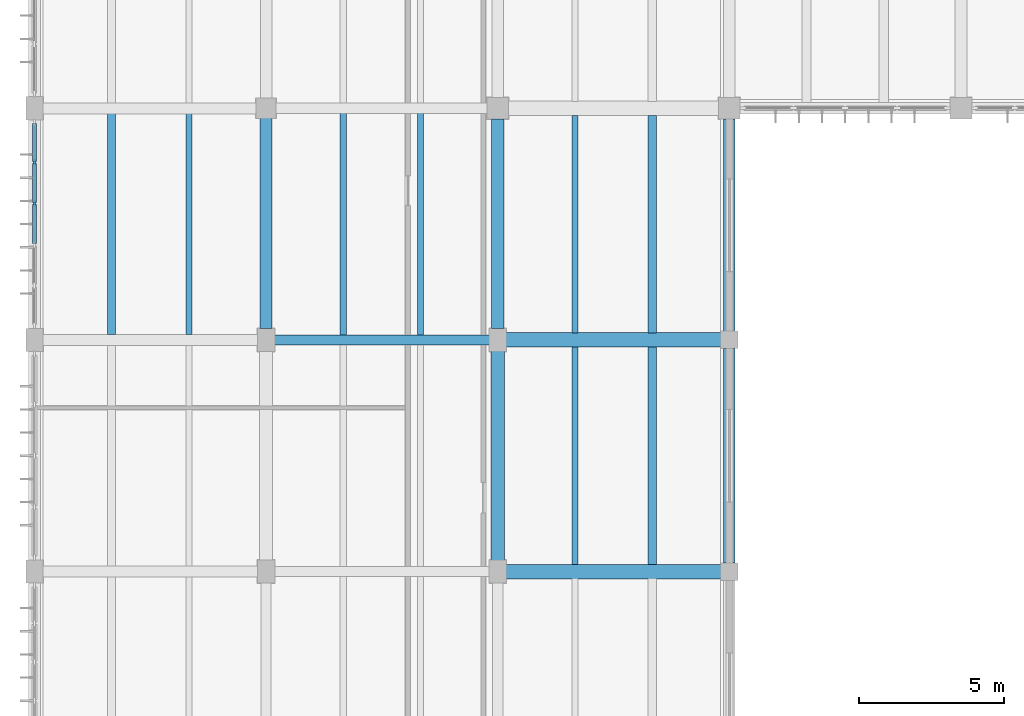
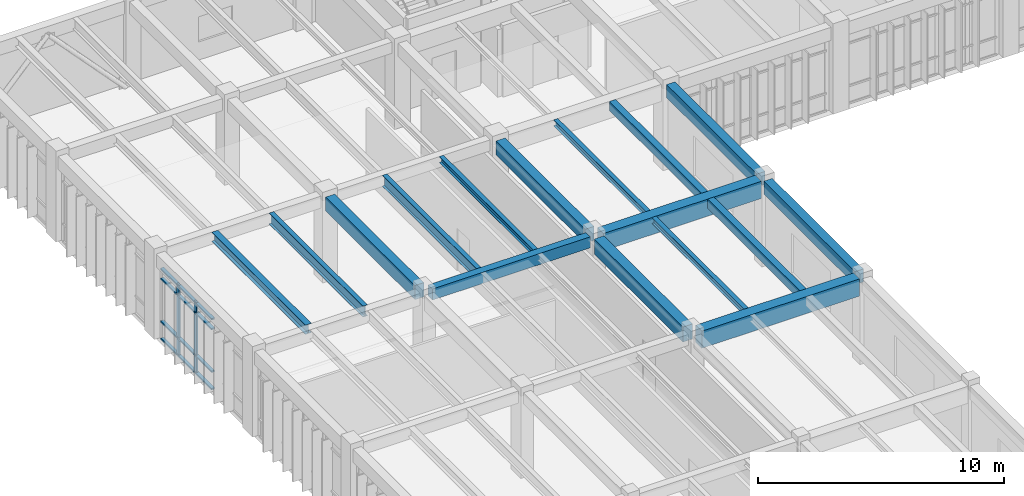
# One storey, part 9 of 79: 16 beams, 14 members, 1 element without a shape of its own.
"""IFC4 building model written with IfcOpenShell, lengths in metres."""

import ifcopenshell
import ifcopenshell.guid

model = None  # the IFC model being written
_history = None  # IfcOwnerHistory: only IFC2X3 demands one
_inside = {}  # id of a spatial element -> (the spatial element, [elements in it])
_under = {}  # id of a project, library or spatial element -> (it, [spatial elements below it])
_declared = {}  # id of a project -> (the project, [libraries it declares])
_typed = {}  # id of a type object -> (the type object, [elements of that type])
_made_of = {}  # id of a material, layer set ... -> (it, [elements and type objects made of it])


def new_model(schema):
    """Start an empty IFC model of exactly this schema.

    Asked for "IFC4X3", IfcOpenShell would pick the latest addendum, in which some entities
    have other attributes; the version numbers below select the first issue.
    IFC2X3 requires an IfcOwnerHistory on every rooted entity: one is made here for all.
    """
    global model, _history
    if schema == "IFC4X3":
        model = ifcopenshell.file(schema_version=(4, 3, 0, 0))
    else:
        model = ifcopenshell.file(schema=schema)
    _inside.clear()
    _under.clear()
    _declared.clear()
    _typed.clear()
    _made_of.clear()
    _history = None
    if model.schema == "IFC2X3":
        org = make("IfcOrganization", Name="unknown")
        user = make(
            "IfcPersonAndOrganization",
            ThePerson=make("IfcPerson", FamilyName="unknown"),
            TheOrganization=org,
        )
        app = make(
            "IfcApplication",
            ApplicationDeveloper=org,
            Version="unknown",
            ApplicationFullName="unknown",
            ApplicationIdentifier="unknown",
        )
        _history = make(
            "IfcOwnerHistory",
            OwningUser=user,
            OwningApplication=app,
            ChangeAction="ADDED",
            CreationDate=0,
        )
    return model


def make(cls, **values):
    """One entity of the class cls with the attributes given. An attribute that is None is left unset."""
    return model.create_entity(
        cls, **{name: value for name, value in values.items() if value is not None}
    )


def rooted(cls, **values):
    """An entity with a GlobalId (a new one), such as an element, a storey or a relation."""
    return make(cls, GlobalId=ifcopenshell.guid.new(), OwnerHistory=_history, **values)


def si_unit(unit_type, name, prefix=None):
    """IfcSIUnit, for example si_unit("LENGTHUNIT", "METRE", prefix="MILLI")."""
    return make("IfcSIUnit", UnitType=unit_type, Prefix=prefix, Name=name)


def assignment(units):
    """IfcUnitAssignment: the units of a project."""
    return None if units is None else make("IfcUnitAssignment", Units=units)


def point(xyz):
    """IfcCartesianPoint."""
    return None if xyz is None else make("IfcCartesianPoint", Coordinates=xyz)


def direction(xyz):
    """IfcDirection."""
    return None if xyz is None else make("IfcDirection", DirectionRatios=xyz)


def frame(location, z_axis=None, x_axis=None):
    """IfcAxis2Placement3D, a coordinate frame: its origin and axes. An axis left out is left unset."""
    return make(
        "IfcAxis2Placement3D",
        Location=point(location),
        Axis=direction(z_axis),
        RefDirection=direction(x_axis),
    )


def frame_2d(location, x_axis=None):
    """IfcAxis2Placement2D, a coordinate frame in the plane: its origin and x axis."""
    return make(
        "IfcAxis2Placement2D", Location=point(location), RefDirection=direction(x_axis)
    )


def origin():
    """The frame at (0, 0, 0) with its axes left unset."""
    return frame((0.0, 0.0, 0.0))


def origin_2d():
    """The frame at (0, 0) in the plane with its x axis left unset."""
    return frame_2d((0.0, 0.0))


def place(relative_to, where):
    """IfcLocalPlacement: puts the frame where relative to a parent placement (None: the world)."""
    return make(
        "IfcLocalPlacement", PlacementRelTo=relative_to, RelativePlacement=where
    )


def context(
    kind, dimensions, precision=None, world=None, true_north=None, identifier=None
):
    """IfcGeometricRepresentationContext, for example the 3D "Model" context."""
    return make(
        "IfcGeometricRepresentationContext",
        ContextIdentifier=identifier,
        ContextType=kind,
        CoordinateSpaceDimension=dimensions,
        Precision=precision,
        WorldCoordinateSystem=world,
        TrueNorth=true_north,
    )


def subcontext(parent, identifier, kind, view, scale=None):
    """IfcGeometricRepresentationSubContext, for example "Body" below "Model"."""
    return make(
        "IfcGeometricRepresentationSubContext",
        ContextIdentifier=identifier,
        ContextType=kind,
        ParentContext=parent,
        TargetScale=scale,
        TargetView=view,
    )


def project(units=None, contexts=None):
    """IfcProject with its units and contexts."""
    return rooted(
        "IfcProject",
        Name="project",
        RepresentationContexts=contexts,
        UnitsInContext=assignment(units),
    )


def spatial(cls, under=None, at=None, **own):
    """A site, building, storey or space (cls), placed at a placement, below another one or the project."""
    s = rooted(cls, ObjectPlacement=at, **own)
    if under is not None:
        _under.setdefault(under.id(), (under, []))[1].append(s)
    return s


def profile(cls, at=None, kind="AREA", **sizes):
    """A parametric profile (cls). Its sizes go by their IFC names, for example OverallWidth=200.0."""
    return make(cls, ProfileType=kind, Position=at, **sizes)


def rectangle(**sizes):
    """IfcRectangleProfileDef."""
    return profile("IfcRectangleProfileDef", **sizes)


def i_section(**sizes):
    """IfcIShapeProfileDef."""
    return profile("IfcIShapeProfileDef", **sizes)


def extrude(swept, where, along, depth):
    """IfcExtrudedAreaSolid: the profile swept, set in the frame where, extruded along a direction by depth."""
    return make(
        "IfcExtrudedAreaSolid",
        SweptArea=swept,
        Position=where,
        ExtrudedDirection=direction(along),
        Depth=depth,
    )


def shape(context_of_items, identifier, shape_type, items):
    """IfcShapeRepresentation: the items that make up one representation, for example the "Body"."""
    return make(
        "IfcShapeRepresentation",
        ContextOfItems=context_of_items,
        RepresentationIdentifier=identifier,
        RepresentationType=shape_type,
        Items=items,
    )


def material(Name=None, Category=None):
    """IfcMaterial."""
    return make("IfcMaterial", Name=Name, Category=Category)


def material_profile(
    of_material, cross_section, Name=None, Category=None, Priority=None
):
    """IfcMaterialProfile: a cross section and its material."""
    return make(
        "IfcMaterialProfile",
        Name=Name,
        Material=of_material,
        Profile=cross_section,
        Priority=Priority,
        Category=Category,
    )


def profile_set(profiles, Name=None, composite=None):
    """IfcMaterialProfileSet."""
    return make(
        "IfcMaterialProfileSet",
        Name=Name,
        MaterialProfiles=profiles,
        CompositeProfile=composite,
    )


def made_of(thing, what):
    """Note that an element or type object is made of a material, layer set ...; save() writes the relation."""
    if what is not None:
        _made_of.setdefault(what.id(), (what, []))[1].append(thing)
    return thing


def type_object(cls, material=None, **own):
    """A type object (cls), such as IfcWallType, which elements share."""
    return made_of(rooted(cls, **own), material)


def element(
    cls,
    number,
    at=None,
    inside=None,
    cuts=None,
    type_object=None,
    material=None,
    context=None,
    identifier="Body",
    shape_type=None,
    held_by="IfcProductDefinitionShape",
    body=None,
    shapes=None,
    **own,
):
    """One element of the class cls, such as IfcWall. Its Tag is "e" and its number.

    at: its placement. inside: the storey or other place that contains it. cuts: it is an
    opening in that element (IfcRelVoidsElement). A single representation is given by context,
    identifier, shape_type and body (its items); several are given by shapes. held_by: the class
    of the entity that holds the representations. save() writes the other relations.
    """
    e = rooted(cls, Tag="e%d" % number, ObjectPlacement=at, **own)
    if body is not None:
        shapes = [shape(context, identifier, shape_type, body)]
    if shapes is not None:
        e.Representation = make(held_by, Representations=shapes)
    if inside is not None:
        _inside.setdefault(inside.id(), (inside, []))[1].append(e)
    if cuts is not None:
        rooted(
            "IfcRelVoidsElement", RelatingBuildingElement=cuts, RelatedOpeningElement=e
        )
    if type_object is not None:
        _typed.setdefault(type_object.id(), (type_object, []))[1].append(e)
    return made_of(e, material)


def aggregate(whole, parts):
    """IfcRelAggregates: a whole, such as a stair, and the parts it consists of."""
    return rooted("IfcRelAggregates", RelatingObject=whole, RelatedObjects=parts)


def save(model, path):
    """Write the relations noted so far, then the file.

    IfcRelAggregates (storeys below a building ...), IfcRelContainedInSpatialStructure (elements
    in a storey), IfcRelDefinesByType, IfcRelAssociatesMaterial and IfcRelDeclares: one each for
    every whole, place, type object, material and project.
    """
    for whole, parts in _under.values():
        aggregate(whole, parts)
    for where, things in _inside.values():
        rooted(
            "IfcRelContainedInSpatialStructure",
            RelatedElements=things,
            RelatingStructure=where,
        )
    for kind, things in _typed.values():
        rooted("IfcRelDefinesByType", RelatedObjects=things, RelatingType=kind)
    for what, things in _made_of.values():
        rooted("IfcRelAssociatesMaterial", RelatedObjects=things, RelatingMaterial=what)
    for by, libraries in _declared.values():
        rooted("IfcRelDeclares", RelatingContext=by, RelatedDefinitions=libraries)
    model.write(path)


model = new_model("IFC4")

# Units and contexts
model_context = context("Model", 3, precision=1e-05, world=origin(), true_north=direction((0.0, 1.0)))
body_context = subcontext(model_context, "Body", "Model", "MODEL_VIEW")
ifc_project = project(units=[si_unit("LENGTHUNIT", "METRE"), si_unit("AREAUNIT", "SQUARE_METRE"), si_unit("VOLUMEUNIT", "CUBIC_METRE"), si_unit("PLANEANGLEUNIT", "RADIAN"), si_unit("MASSUNIT", "GRAM", prefix="KILO")], contexts=[model_context])

# Site, building, storey
site_placement = place(None, origin())
site = spatial("IfcSite", under=ifc_project, at=site_placement, CompositionType="ELEMENT")
building_placement = place(site_placement, origin())
building = spatial("IfcBuilding", under=site, at=building_placement, Name="Tlaxcora Railside Police Headquarters", CompositionType="ELEMENT")
storey_placement = place(building_placement, frame((0.0, 0.0, 9.0)))
storey = spatial("IfcBuildingStorey", under=building, at=storey_placement, Name="L02", CompositionType="ELEMENT", Elevation=9.0)

# Curtain wall, members
ifc_material_1 = material(Name="Thermally broken low-E insulated glazing", Category="glass")
curtain_wall_type = type_object("IfcCurtainWallType", Name="Unitised Curtain Wall Assembly CW-15", PredefinedType="NOTDEFINED", material=ifc_material_1)
curtain_wall_placement = place(storey_placement, origin())
curtain_wall = element("IfcCurtainWall", 1, at=curtain_wall_placement, inside=storey, type_object=curtain_wall_type, Name="V5 L02 curtain wall 66", PredefinedType="NOTDEFINED")
ifc_material_2 = material(Name="Anodised aluminium framing", Category="aluminium")
ifc_material_profile_1 = material_profile(ifc_material_2, rectangle(XDim=0.074951171875, YDim=0.199951171875, at=origin_2d()), Name="AL75X200")
ifc_profile_set_1 = profile_set([ifc_material_profile_1], Name="Anodised aluminium framing")
member_type_1 = type_object("IfcMemberType", Name="Curtain Wall Mullion CW-58", PredefinedType="MULLION", material=ifc_profile_set_1)
member_1_placement = place(storey_placement, frame((5.199951171875, 74.929931640625, 0.0), z_axis=(0.0, 0.0, 1.0), x_axis=(1.0, 0.0, 0.0)))
member_1 = element("IfcMember", 2, at=member_1_placement, type_object=member_type_1, Name="CW mullion 2", PredefinedType="MULLION", context=body_context, shape_type="SweptSolid", body=[
    extrude(rectangle(XDim=0.074951171875, YDim=0.199951171875, at=origin_2d()), origin(), (0.0, 0.0, 1.0), 3.550048828125),
])
member_2_placement = place(storey_placement, frame((5.199951171875, 73.510009765625, 0.0), z_axis=(0.0, 0.0, 1.0), x_axis=(1.0, 0.0, 0.0)))
member_2 = element("IfcMember", 3, at=member_2_placement, type_object=member_type_1, Name="CW mullion 3", PredefinedType="MULLION", context=body_context, shape_type="SweptSolid", body=[
    extrude(rectangle(XDim=0.074951171875, YDim=0.199951171875, at=origin_2d()), origin(), (0.0, 0.0, 1.0), 3.550048828125),
])
ifc_material_profile_2 = material_profile(ifc_material_2, rectangle(XDim=0.14990234375, YDim=0.074951171875, at=origin_2d()), Name="AL75X150")
ifc_profile_set_2 = profile_set([ifc_material_profile_2], Name="Anodised aluminium framing")
member_type_2 = type_object("IfcMemberType", Name="Curtain Wall Transom CW-28", PredefinedType="USERDEFINED", material=ifc_profile_set_2)
member_3_placement = place(storey_placement, frame((5.199951171875, 76.27490234375, 0.03759765625), z_axis=(0.0, -1.0, 0.0), x_axis=(1.0, 0.0, 0.0)))
member_3 = element("IfcMember", 4, at=member_3_placement, type_object=member_type_2, Name="CW transom 1.1", ObjectType="TRANSOM", PredefinedType="USERDEFINED", context=body_context, shape_type="SweptSolid", body=[
    extrude(rectangle(XDim=0.14990234375, YDim=0.074951171875, at=origin_2d()), origin(), (0.0, 0.0, 1.0), 1.307373046875),
])
member_4_placement = place(storey_placement, frame((5.199951171875, 76.27490234375, 0.89990234375), z_axis=(0.0, -1.0, 0.0), x_axis=(1.0, 0.0, 0.0)))
member_4 = element("IfcMember", 5, at=member_4_placement, type_object=member_type_2, Name="CW transom 1.2", ObjectType="TRANSOM", PredefinedType="USERDEFINED", context=body_context, shape_type="SweptSolid", body=[
    extrude(rectangle(XDim=0.14990234375, YDim=0.074951171875, at=origin_2d()), origin(), (0.0, 0.0, 1.0), 1.307373046875),
])
member_5_placement = place(storey_placement, frame((5.199951171875, 76.27490234375, 3.02001953125), z_axis=(0.0, -1.0, 0.0), x_axis=(1.0, 0.0, 0.0)))
member_5 = element("IfcMember", 6, at=member_5_placement, type_object=member_type_2, Name="CW transom 1.3", ObjectType="TRANSOM", PredefinedType="USERDEFINED", context=body_context, shape_type="SweptSolid", body=[
    extrude(rectangle(XDim=0.14990234375, YDim=0.074951171875, at=origin_2d()), origin(), (0.0, 0.0, 1.0), 1.307373046875),
])
member_6_placement = place(storey_placement, frame((5.199951171875, 76.27490234375, 3.512451171875), z_axis=(0.0, -1.0, 0.0), x_axis=(1.0, 0.0, 0.0)))
member_6 = element("IfcMember", 7, at=member_6_placement, type_object=member_type_2, Name="CW transom 1.4", ObjectType="TRANSOM", PredefinedType="USERDEFINED", context=body_context, shape_type="SweptSolid", body=[
    extrude(rectangle(XDim=0.14990234375, YDim=0.074951171875, at=origin_2d()), origin(), (0.0, 0.0, 1.0), 1.307373046875),
])
member_7_placement = place(storey_placement, frame((5.199951171875, 74.892578125, 0.03759765625), z_axis=(0.0, -1.0, 0.0), x_axis=(1.0, 0.0, 0.0)))
member_7 = element("IfcMember", 8, at=member_7_placement, type_object=member_type_2, Name="CW transom 2.1", ObjectType="TRANSOM", PredefinedType="USERDEFINED", context=body_context, shape_type="SweptSolid", body=[
    extrude(rectangle(XDim=0.14990234375, YDim=0.074951171875, at=origin_2d()), origin(), (0.0, 0.0, 1.0), 1.344970703125),
])
member_8_placement = place(storey_placement, frame((5.199951171875, 74.892578125, 0.89990234375), z_axis=(0.0, -1.0, 0.0), x_axis=(1.0, 0.0, 0.0)))
member_8 = element("IfcMember", 9, at=member_8_placement, type_object=member_type_2, Name="CW transom 2.2", ObjectType="TRANSOM", PredefinedType="USERDEFINED", context=body_context, shape_type="SweptSolid", body=[
    extrude(rectangle(XDim=0.14990234375, YDim=0.074951171875, at=origin_2d()), origin(), (0.0, 0.0, 1.0), 1.344970703125),
])
member_9_placement = place(storey_placement, frame((5.199951171875, 74.892578125, 3.02001953125), z_axis=(0.0, -1.0, 0.0), x_axis=(1.0, 0.0, 0.0)))
member_9 = element("IfcMember", 10, at=member_9_placement, type_object=member_type_2, Name="CW transom 2.3", ObjectType="TRANSOM", PredefinedType="USERDEFINED", context=body_context, shape_type="SweptSolid", body=[
    extrude(rectangle(XDim=0.14990234375, YDim=0.074951171875, at=origin_2d()), origin(), (0.0, 0.0, 1.0), 1.344970703125),
])
member_10_placement = place(storey_placement, frame((5.199951171875, 74.892578125, 3.512451171875), z_axis=(0.0, -1.0, 0.0), x_axis=(1.0, 0.0, 0.0)))
member_10 = element("IfcMember", 11, at=member_10_placement, type_object=member_type_2, Name="CW transom 2.4", ObjectType="TRANSOM", PredefinedType="USERDEFINED", context=body_context, shape_type="SweptSolid", body=[
    extrude(rectangle(XDim=0.14990234375, YDim=0.074951171875, at=origin_2d()), origin(), (0.0, 0.0, 1.0), 1.344970703125),
])
member_11_placement = place(storey_placement, frame((5.199951171875, 73.472412109375, 0.03759765625), z_axis=(0.0, -1.0, 0.0), x_axis=(1.0, 0.0, 0.0)))
member_11 = element("IfcMember", 12, at=member_11_placement, type_object=member_type_2, Name="CW transom 3.1", ObjectType="TRANSOM", PredefinedType="USERDEFINED", context=body_context, shape_type="SweptSolid", body=[
    extrude(rectangle(XDim=0.14990234375, YDim=0.074951171875, at=origin_2d()), origin(), (0.0, 0.0, 1.0), 1.344970703125),
])
member_12_placement = place(storey_placement, frame((5.199951171875, 73.472412109375, 0.89990234375), z_axis=(0.0, -1.0, 0.0), x_axis=(1.0, 0.0, 0.0)))
member_12 = element("IfcMember", 13, at=member_12_placement, type_object=member_type_2, Name="CW transom 3.2", ObjectType="TRANSOM", PredefinedType="USERDEFINED", context=body_context, shape_type="SweptSolid", body=[
    extrude(rectangle(XDim=0.14990234375, YDim=0.074951171875, at=origin_2d()), origin(), (0.0, 0.0, 1.0), 1.344970703125),
])
member_13_placement = place(storey_placement, frame((5.199951171875, 73.472412109375, 3.02001953125), z_axis=(0.0, -1.0, 0.0), x_axis=(1.0, 0.0, 0.0)))
member_13 = element("IfcMember", 14, at=member_13_placement, type_object=member_type_2, Name="CW transom 3.3", ObjectType="TRANSOM", PredefinedType="USERDEFINED", context=body_context, shape_type="SweptSolid", body=[
    extrude(rectangle(XDim=0.14990234375, YDim=0.074951171875, at=origin_2d()), origin(), (0.0, 0.0, 1.0), 1.344970703125),
])
member_14_placement = place(storey_placement, frame((5.199951171875, 73.472412109375, 3.512451171875), z_axis=(0.0, -1.0, 0.0), x_axis=(1.0, 0.0, 0.0)))
member_14 = element("IfcMember", 15, at=member_14_placement, type_object=member_type_2, Name="CW transom 3.4", ObjectType="TRANSOM", PredefinedType="USERDEFINED", context=body_context, shape_type="SweptSolid", body=[
    extrude(rectangle(XDim=0.14990234375, YDim=0.074951171875, at=origin_2d()), origin(), (0.0, 0.0, 1.0), 1.344970703125),
])
aggregate(curtain_wall, [member_1, member_2, member_3, member_4, member_5, member_6, member_7, member_8, member_9, member_10, member_11, member_12, member_13, member_14])

# Beams
ifc_material_3 = material(Name="Concrete C40/50", Category="concrete")
ifc_material_profile_3 = material_profile(ifc_material_3, rectangle(XDim=0.39990234375, YDim=0.64990234375, at=origin_2d()), Name="RC400X650")
ifc_profile_set_3 = profile_set([ifc_material_profile_3], Name="Concrete C40/50")
beam_type_1 = type_object("IfcBeamType", Name="Perimeter Spandrel Beam BM-46", PredefinedType="SPANDREL", material=ifc_profile_set_3)
beam_1_placement = place(storey_placement, frame((29.199951171875, 61.090087890625, 3.89501953125), z_axis=(0.0, 1.0, 0.0), x_axis=(-1.0, 0.0, 0.0)))
element("IfcBeam", 16, at=beam_1_placement, inside=storey, type_object=beam_type_1, Name="V5 L02 Y-girder X=29.2", PredefinedType="SPANDREL", context=body_context, shape_type="SweptSolid", body=[
    extrude(rectangle(XDim=0.39990234375, YDim=0.64990234375, at=origin_2d()), origin(), (0.0, 0.0, 1.0), 7.419921875),
])
beam_2_placement = place(storey_placement, frame((29.199951171875, 69.090087890625, 3.89501953125), z_axis=(0.0, 1.0, 0.0), x_axis=(-1.0, 0.0, 0.0)))
element("IfcBeam", 17, at=beam_2_placement, inside=storey, type_object=beam_type_1, Name="V5 L02 Y-girder X=29.2", PredefinedType="SPANDREL", context=body_context, shape_type="SweptSolid", body=[
    extrude(rectangle(XDim=0.39990234375, YDim=0.64990234375, at=origin_2d()), origin(), (0.0, 0.0, 1.0), 7.344970703125),
])
ifc_material_profile_4 = material_profile(ifc_material_3, rectangle(XDim=0.419921875, YDim=0.699951171875, at=origin_2d()), Name="RC420X700")
ifc_profile_set_4 = profile_set([ifc_material_profile_4], Name="Concrete C40/50")
beam_type_2 = type_object("IfcBeamType", Name="Primary Frame Girder BM-35", PredefinedType="BEAM", material=ifc_profile_set_4)
beam_3_placement = place(storey_placement, frame((13.199951171875, 69.18994140625, 3.8701171875), z_axis=(0.0, 1.0, 0.0), x_axis=(-1.0, 0.0, 0.0)))
element("IfcBeam", 18, at=beam_3_placement, inside=storey, type_object=beam_type_2, Name="V5 L02 Y-girder X=13.2", PredefinedType="BEAM", context=body_context, shape_type="SweptSolid", body=[
    extrude(rectangle(XDim=0.419921875, YDim=0.699951171875, at=origin_2d()), origin(), (0.0, 0.0, 1.0), 7.27001953125),
])
beam_4_placement = place(storey_placement, frame((21.199951171875, 69.18994140625, 3.8701171875), z_axis=(0.0, 1.0, 0.0), x_axis=(-1.0, 0.0, 0.0)))
element("IfcBeam", 19, at=beam_4_placement, inside=storey, type_object=beam_type_2, Name="V5 L02 Y-girder X=21.2", PredefinedType="BEAM", context=body_context, shape_type="SweptSolid", body=[
    extrude(rectangle(XDim=0.419921875, YDim=0.699951171875, at=origin_2d()), origin(), (0.0, 0.0, 1.0), 7.2451171875),
])
ifc_material_profile_5 = material_profile(ifc_material_3, rectangle(XDim=0.35009765625, YDim=0.550048828125, at=origin_2d()), Name="RC350X550")
ifc_profile_set_5 = profile_set([ifc_material_profile_5], Name="Concrete C40/50")
beam_type_3 = type_object("IfcBeamType", Name="Primary Frame Girder BM-39", PredefinedType="BEAM", material=ifc_profile_set_5)
beam_5_placement = place(storey_placement, frame((13.489990234375, 68.800048828125, 3.945068359375), z_axis=(1.0, 0.0, 0.0), x_axis=(0.0, 1.0, 0.0)))
element("IfcBeam", 20, at=beam_5_placement, inside=storey, type_object=beam_type_3, Name="V5 L02 X-girder Y=68.8", PredefinedType="BEAM", context=body_context, shape_type="SweptSolid", body=[
    extrude(rectangle(XDim=0.35009765625, YDim=0.550048828125, at=origin_2d()), origin(), (0.0, 0.0, 1.0), 7.419921875),
])
ifc_material_profile_6 = material_profile(ifc_material_3, rectangle(XDim=0.5, YDim=0.85009765625, at=origin_2d()), Name="RC500X850")
ifc_profile_set_6 = profile_set([ifc_material_profile_6], Name="Concrete C40/50")
beam_type_4 = type_object("IfcBeamType", Name="Primary Frame Girder BM-64", PredefinedType="BEAM", material=ifc_profile_set_6)
for number, where, z_axis, x_axis, name in (
    (21, (21.489990234375, 60.800048828125, 3.794921875), (1.0, 0.0, 0.0), (0.0, 1.0, 0.0), "V5 L02 X-girder Y=60.8"),
    (22, (21.489990234375, 68.800048828125, 3.794921875), (1.0, 0.0, 0.0), (0.0, 1.0, 0.0), "V5 L02 X-girder Y=68.8"),
):
    element("IfcBeam", number, at=place(storey_placement, frame(where, z_axis=z_axis, x_axis=x_axis)), inside=storey, type_object=beam_type_4, Name=name, PredefinedType="BEAM", context=body_context, shape_type="SweptSolid", body=[
        extrude(rectangle(XDim=0.5, YDim=0.85009765625, at=origin_2d()), origin(), (0.0, 0.0, 1.0), 7.419921875),
    ])
ifc_material_profile_7 = material_profile(ifc_material_3, rectangle(XDim=0.449951171875, YDim=0.75, at=origin_2d()), Name="RC450X750")
ifc_profile_set_7 = profile_set([ifc_material_profile_7], Name="Concrete C40/50")
beam_type_5 = type_object("IfcBeamType", Name="Primary Frame Girder BM-73", PredefinedType="BEAM", material=ifc_profile_set_7)
beam_6_placement = place(storey_placement, frame((21.199951171875, 61.18994140625, 3.844970703125), z_axis=(0.0, 1.0, 0.0), x_axis=(-1.0, 0.0, 0.0)))
element("IfcBeam", 23, at=beam_6_placement, inside=storey, type_object=beam_type_5, Name="V5 L02 Y-girder X=21.2", PredefinedType="BEAM", context=body_context, shape_type="SweptSolid", body=[
    extrude(rectangle(XDim=0.449951171875, YDim=0.75, at=origin_2d()), origin(), (0.0, 0.0, 1.0), 7.219970703125),
])
ifc_material_4 = material(Name="Concrete C35/45", Category="concrete")
ifc_material_profile_8 = material_profile(ifc_material_4, rectangle(XDim=0.300048828125, YDim=0.449951171875, at=origin_2d()), Name="RC300X450")
ifc_profile_set_8 = profile_set([ifc_material_profile_8], Name="Concrete C35/45")
beam_type_6 = type_object("IfcBeamType", Name="Secondary Floor Joist BM-27", PredefinedType="JOIST", material=ifc_profile_set_8)
for number, where, z_axis, x_axis, name in (
    (24, (26.533203125, 61.0419921875, 3.9951171875), (0.0, 1.0, 0.0), (-1.0, 0.0, 0.0), "V5 L02 floor joist X=26.53"),
    (25, (26.533203125, 69.0419921875, 3.9951171875), (0.0, 1.0, 0.0), (-1.0, 0.0, 0.0), "V5 L02 floor joist X=26.53"),
):
    element("IfcBeam", number, at=place(storey_placement, frame(where, z_axis=z_axis, x_axis=x_axis)), inside=storey, type_object=beam_type_6, Name=name, PredefinedType="JOIST", context=body_context, shape_type="SweptSolid", body=[
        extrude(rectangle(XDim=0.300048828125, YDim=0.449951171875, at=origin_2d()), origin(), (0.0, 0.0, 1.0), 7.51611328125),
    ])
ifc_material_5 = material(Name="Steel ASTM A992 Grade 50", Category="steel")
ifc_material_profile_9 = material_profile(ifc_material_5, i_section(OverallWidth=0.280029296875, OverallDepth=0.4619140625, WebThickness=0.0107421875, FlangeThickness=0.017333984375, at=origin_2d()), Name="W18X76")
ifc_profile_set_9 = profile_set([ifc_material_profile_9], Name="Steel ASTM A992 Grade 50")
beam_type_7 = type_object("IfcBeamType", Name="Secondary Floor Joist BM-44", PredefinedType="JOIST", material=ifc_profile_set_9)
beam_7_placement = place(storey_placement, frame((7.86669921875, 68.98193359375, 3.989013671875), z_axis=(0.0, 1.0, 0.0), x_axis=(-1.0, 0.0, 0.0)))
element("IfcBeam", 26, at=beam_7_placement, inside=storey, type_object=beam_type_7, Name="V5 L02 floor joist X=7.87", PredefinedType="JOIST", context=body_context, shape_type="SweptSolid", body=[
    extrude(i_section(OverallWidth=0.280029296875, OverallDepth=0.4619140625, WebThickness=0.0107421875, FlangeThickness=0.017333984375, at=origin_2d()), origin(), (0.0, 0.0, 1.0), 7.635986328125),
])
ifc_material_profile_10 = material_profile(ifc_material_5, i_section(OverallWidth=0.202880859375, OverallDepth=0.302978515625, WebThickness=0.007568359375, FlangeThickness=0.01318359375, at=origin_2d()), Name="W12X40")
ifc_profile_set_10 = profile_set([ifc_material_profile_10], Name="Steel ASTM A992 Grade 50")
beam_type_8 = type_object("IfcBeamType", Name="Secondary Floor Joist BM-96", PredefinedType="JOIST", material=ifc_profile_set_10)
beam_8_placement = place(storey_placement, frame((23.86669921875, 61.0419921875, 4.068603515625), z_axis=(0.0, 1.0, 0.0), x_axis=(-1.0, 0.0, 0.0)))
element("IfcBeam", 27, at=beam_8_placement, inside=storey, type_object=beam_type_8, Name="V5 L02 floor joist X=23.87", PredefinedType="JOIST", context=body_context, shape_type="SweptSolid", body=[
    extrude(i_section(OverallWidth=0.202880859375, OverallDepth=0.302978515625, WebThickness=0.007568359375, FlangeThickness=0.01318359375, at=origin_2d()), origin(), (0.0, 0.0, 1.0), 7.51611328125),
])
beam_9_placement = place(storey_placement, frame((18.533203125, 68.967041015625, 4.068603515625), z_axis=(0.0, 1.0, 0.0), x_axis=(-1.0, 0.0, 0.0)))
element("IfcBeam", 28, at=beam_9_placement, inside=storey, type_object=beam_type_8, Name="V5 L02 floor joist X=18.53", PredefinedType="JOIST", context=body_context, shape_type="SweptSolid", body=[
    extrude(i_section(OverallWidth=0.202880859375, OverallDepth=0.302978515625, WebThickness=0.007568359375, FlangeThickness=0.01318359375, at=origin_2d()), origin(), (0.0, 0.0, 1.0), 7.666015625),
])
beam_10_placement = place(storey_placement, frame((23.86669921875, 69.0419921875, 4.068603515625), z_axis=(0.0, 1.0, 0.0), x_axis=(-1.0, 0.0, 0.0)))
element("IfcBeam", 29, at=beam_10_placement, inside=storey, type_object=beam_type_8, Name="V5 L02 floor joist X=23.87", PredefinedType="JOIST", context=body_context, shape_type="SweptSolid", body=[
    extrude(i_section(OverallWidth=0.202880859375, OverallDepth=0.302978515625, WebThickness=0.007568359375, FlangeThickness=0.01318359375, at=origin_2d()), origin(), (0.0, 0.0, 1.0), 7.51611328125),
])
ifc_material_profile_11 = material_profile(ifc_material_5, i_section(OverallWidth=0.214111328125, OverallDepth=0.549072265625, WebThickness=0.0146484375, FlangeThickness=0.023681640625, at=origin_2d()), Name="W21X93")
ifc_profile_set_11 = profile_set([ifc_material_profile_11], Name="Steel ASTM A992 Grade 50")
beam_type_9 = type_object("IfcBeamType", Name="Secondary Floor Joist BM-97", PredefinedType="JOIST", material=ifc_profile_set_11)
beam_11_placement = place(storey_placement, frame((10.533203125, 68.98193359375, 3.945556640625), z_axis=(0.0, 1.0, 0.0), x_axis=(-1.0, 0.0, 0.0)))
element("IfcBeam", 30, at=beam_11_placement, inside=storey, type_object=beam_type_9, Name="V5 L02 floor joist X=10.53", PredefinedType="JOIST", context=body_context, shape_type="SweptSolid", body=[
    extrude(i_section(OverallWidth=0.214111328125, OverallDepth=0.549072265625, WebThickness=0.0146484375, FlangeThickness=0.023681640625, at=origin_2d()), origin(), (0.0, 0.0, 1.0), 7.635986328125),
])
beam_12_placement = place(storey_placement, frame((15.86669921875, 68.967041015625, 3.945556640625), z_axis=(0.0, 1.0, 0.0), x_axis=(-1.0, 0.0, 0.0)))
element("IfcBeam", 31, at=beam_12_placement, inside=storey, type_object=beam_type_9, Name="V5 L02 floor joist X=15.87", PredefinedType="JOIST", context=body_context, shape_type="SweptSolid", body=[
    extrude(i_section(OverallWidth=0.214111328125, OverallDepth=0.549072265625, WebThickness=0.0146484375, FlangeThickness=0.023681640625, at=origin_2d()), origin(), (0.0, 0.0, 1.0), 7.666015625),
])

save(model, "model.ifc")
